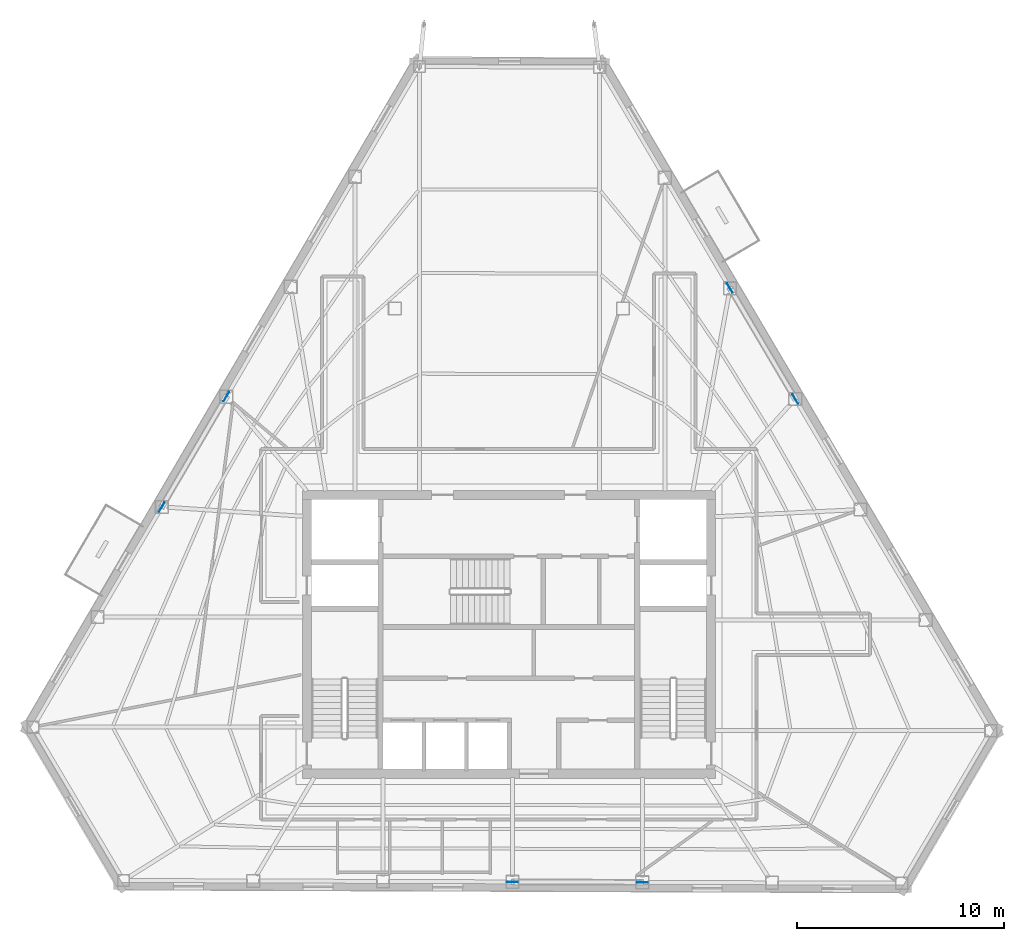
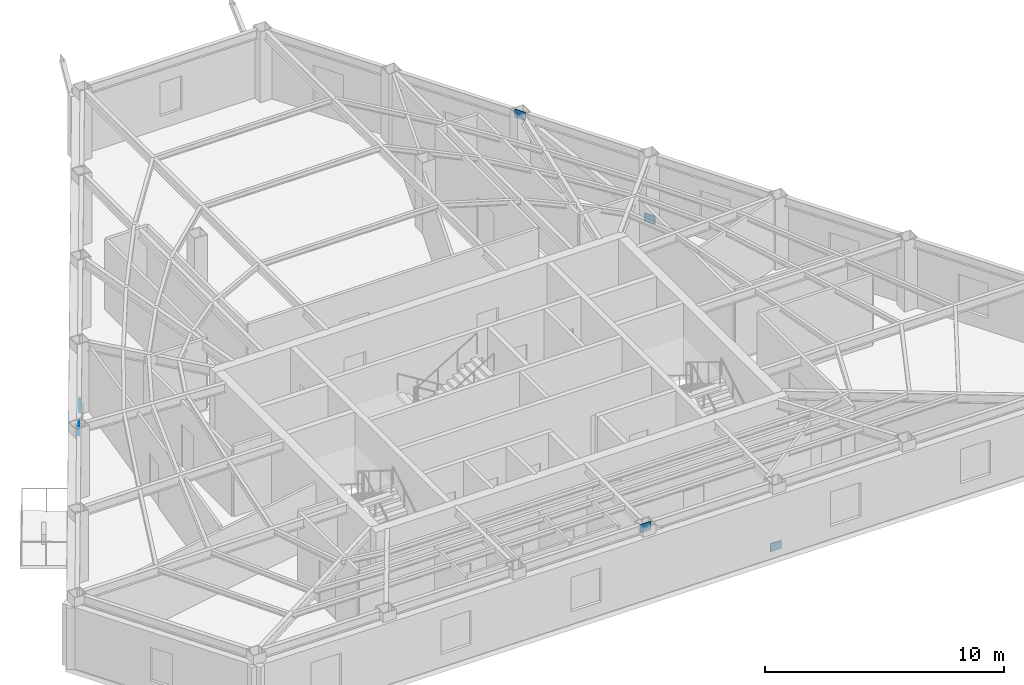
# One storey, part 4 of 10: 6 plates.
"""IFC4 building model written with IfcOpenShell, lengths in metres."""

from ifc_helpers import new_model, si_unit, direction, frame, origin, origin_2d, place, context, subcontext, project, spatial, rectangle, extrude, material, layer, layer_set, type_object, element, save


model = new_model("IFC4")

# Units and contexts
model_context = context("Model", 3, precision=1e-05, world=origin(), true_north=direction((0.0, 1.0)))
body_context = subcontext(model_context, "Body", "Model", "MODEL_VIEW")
ifc_project = project(units=[si_unit("LENGTHUNIT", "METRE"), si_unit("AREAUNIT", "SQUARE_METRE"), si_unit("VOLUMEUNIT", "CUBIC_METRE"), si_unit("PLANEANGLEUNIT", "RADIAN"), si_unit("MASSUNIT", "GRAM", prefix="KILO")], contexts=[model_context])

# Site, building, storey
site_placement = place(None, origin())
site = spatial("IfcSite", under=ifc_project, at=site_placement, CompositionType="ELEMENT")
building_placement = place(site_placement, origin())
building = spatial("IfcBuilding", under=site, at=building_placement, Name="Kavelnor Concourse Tower", CompositionType="ELEMENT")
storey_placement = place(building_placement, frame((0.0, 0.0, 199.64990234375)))
storey = spatial("IfcBuildingStorey", under=building, at=storey_placement, Name="L50", CompositionType="ELEMENT", Elevation=199.64990234375)

# Plates
ifc_material = material(Name="Steel Grade 350", Category="steel")
ifc_layer = layer(ifc_material, 0.031982421875, Name="Steel Grade 350")
ifc_layer_set = layer_set([ifc_layer], Name="Steel Grade 350")
plate_type = type_object("IfcPlateType", Name="PL-GUSSET-TUBE-Z1", PredefinedType="USERDEFINED", material=ifc_layer_set)
for number, where, z_axis, x_axis, name in (
    (1, (24.3818359375, 27.554931640625, 0.01025390625), (0.0, 0.0, 1.0), (-0.504979627488, -0.86313126222, 0.0), "L50 Tube Brace Gusset GP3 F0-B3 End Gusset A"),
    (2, (21.265380859375, 22.228271484375, 3.16015625), (0.0, 0.0, 1.0), (-0.504979627488, -0.86313126222, 0.0), "L50 Tube Brace Gusset GP3 F0-B3 End Gusset B"),
    (3, (44.4375, 4.144775390625, 0.01025390625), (0.0, 0.0, 1.0), (-0.999993283193, 0.003665183223, 0.0), "L50 Tube Brace Gusset GP3 F1-B3 End Gusset A"),
    (4, (38.162841796875, 4.167236328125, 3.16015625), (0.0, 0.0, 1.0), (-0.999993283193, 0.003665183223, 0.0), "L50 Tube Brace Gusset GP3 F1-B3 End Gusset B"),
    (5, (51.80517578125, 27.43310546875, 0.01025390625), (0.0, 0.0, 1.0), (-0.508139769859, 0.861274621876, 0.0), "L50 Tube Brace Gusset GP3 F2-B3 End Gusset A"),
    (6, (48.6494140625, 32.782958984375, 3.16015625), (0.0, 0.0, 1.0), (-0.508139769859, 0.861274621876, 0.0), "L50 Tube Brace Gusset GP3 F2-B3 End Gusset B"),
):
    element("IfcPlate", number, at=place(storey_placement, frame(where, z_axis=z_axis, x_axis=x_axis)), inside=storey, type_object=plate_type, Name=name, ObjectType="GUSSET_PLATE", PredefinedType="USERDEFINED", context=body_context, shape_type="SweptSolid", body=[
        extrude(rectangle(XDim=0.52001953125, YDim=0.031982421875, at=origin_2d()), origin(), (0.0, 0.0, 1.0), 0.419921875),
    ])

save(model, "model.ifc")
